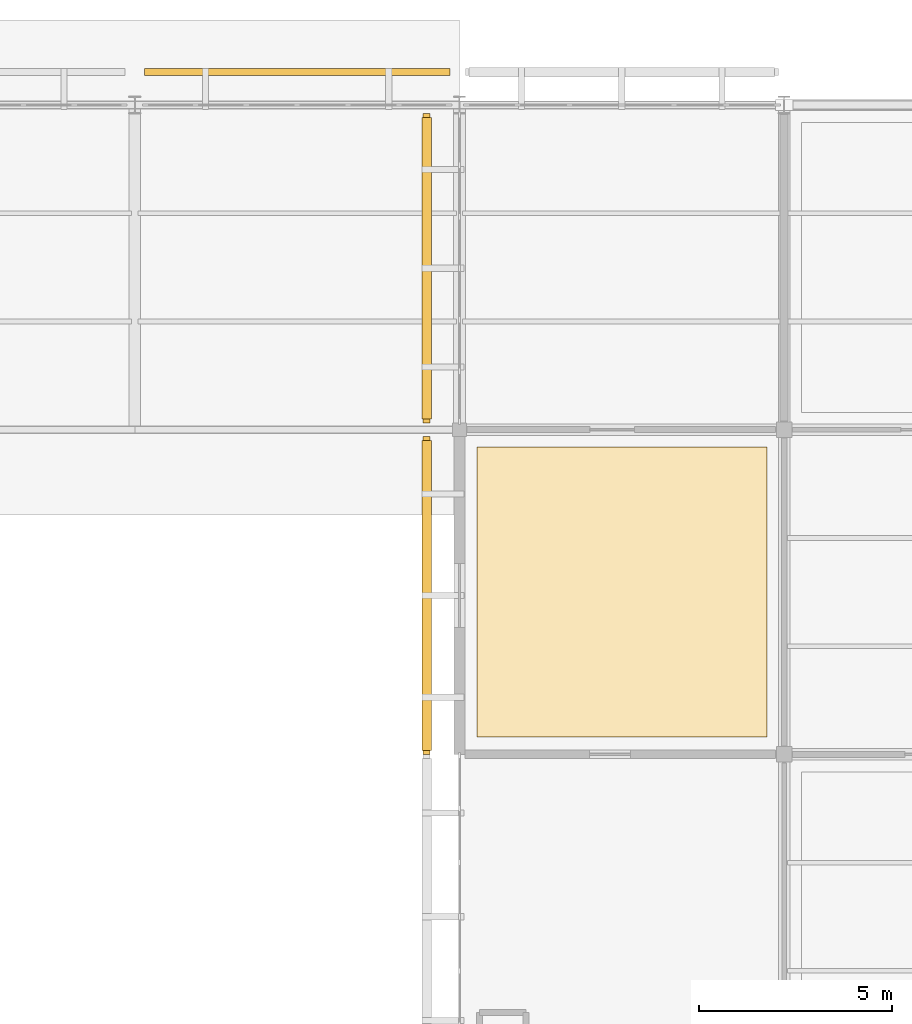
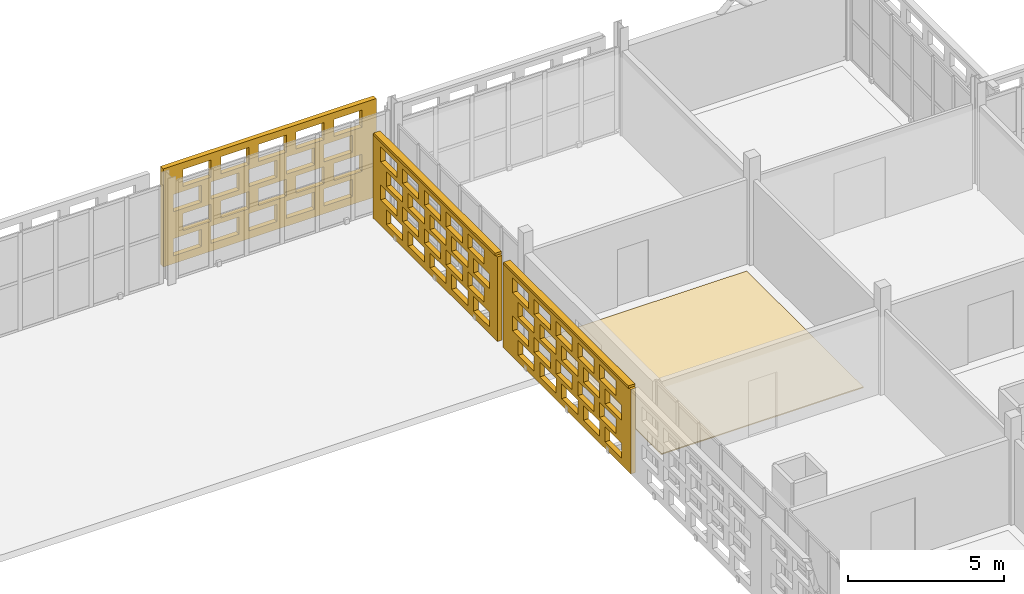
# One storey, part 149 of 166: 4 coverings, 2 shading devices, 60 openings.
"""IFC4 building model written with IfcOpenShell, lengths in metres."""

from ifc_helpers import new_model, si_unit, direction, frame, frame_2d, origin, origin_2d, place, context, subcontext, project, spatial, rectangle, extrude, material, layer, layer_set, type_object, element, save


model = new_model("IFC4")

# Units and contexts
model_context = context("Model", 3, precision=1e-05, world=origin(), true_north=direction((0.0, 1.0)))
body_context = subcontext(model_context, "Body", "Model", "MODEL_VIEW")
ifc_project = project(units=[si_unit("LENGTHUNIT", "METRE"), si_unit("AREAUNIT", "SQUARE_METRE"), si_unit("VOLUMEUNIT", "CUBIC_METRE"), si_unit("PLANEANGLEUNIT", "RADIAN"), si_unit("MASSUNIT", "GRAM", prefix="KILO")], contexts=[model_context])

# Site, building, storey
site_placement = place(None, origin())
site = spatial("IfcSite", under=ifc_project, at=site_placement, CompositionType="ELEMENT")
building_placement = place(site_placement, origin())
building = spatial("IfcBuilding", under=site, at=building_placement, Name="Varnapada Polytechnic", CompositionType="ELEMENT")
storey_placement = place(building_placement, frame((0.0, 0.0, 9.60009765625)))
storey = spatial("IfcBuildingStorey", under=building, at=storey_placement, Name="L02", CompositionType="ELEMENT", Elevation=9.60009765625)

# Covering
ifc_material_1 = material(Name="Acoustic Rubber Seminar Flooring")
ifc_layer_1 = layer(ifc_material_1, 0.0400390625)
ifc_layer_set_1 = layer_set([ifc_layer_1], Name="Acoustic Rubber Seminar Flooring")
covering_type_1 = type_object("IfcCoveringType", Name="Floor Finish FLR-06", PredefinedType="FLOORING", material=ifc_layer_set_1)
covering_1_placement = place(storey_placement, frame((121.800048828125, 113.39990234375, 0.0), z_axis=(0.0, 0.0, 1.0), x_axis=(1.0, 0.0, 0.0)))
element("IfcCovering", 1, at=covering_1_placement, inside=storey, type_object=covering_type_1, Name="L02 floor finish panel (15,14)", PredefinedType="FLOORING", context=body_context, shape_type="SweptSolid", body=[
    extrude(rectangle(XDim=7.5, YDim=7.5, at=origin_2d()), origin(), (0.0, 0.0, 1.0), 0.0400390625),
])

# Covering, openings
ifc_material_2 = material(Name="Earth-toned architectural terracotta screen block", Category="masonry")
ifc_layer_2 = layer(ifc_material_2, 0.1201171875)
ifc_layer_set_2 = layer_set([ifc_layer_2], Name="Earth-toned architectural terracotta screen block")
covering_type_2 = type_object("IfcCoveringType", Name="Terracotta Screen Cladding CLD-01", PredefinedType="CLADDING", material=ifc_layer_set_2)
covering_2_placement = place(storey_placement, frame((116.75, 109.199951171875, 0.0), z_axis=(0.0, 0.0, 1.0), x_axis=(0.0, 1.0, 0.0)))
covering_2 = element("IfcCovering", 2, at=covering_2_placement, inside=storey, type_object=covering_type_2, Name="L02 perforated terracotta block screen (73)", PredefinedType="CLADDING", context=body_context, shape_type="SweptSolid", body=[
    extrude(rectangle(XDim=8.219970703125, YDim=0.179931640625, at=frame_2d((4.10986328125, 0.0))), origin(), (0.0, 0.0, 1.0), 3.31982421875),
])
opening_1_placement = place(covering_2_placement, frame((0.610107421875, 0.0, 0.265625)))
element("IfcOpeningElement", 3, at=opening_1_placement, cuts=covering_2, Name="Screen perforation TBS-L02-072.1", PredefinedType="OPENING", context=body_context, shape_type="SweptSolid", body=[
    extrude(rectangle(XDim=1.0400390625, YDim=0.5810546875, at=frame_2d((0.52001953125, 0.29052734375))), frame((0.0, 0.099853515625, 0.0), z_axis=(0.0, -1.0, 0.0), x_axis=(1.0, 0.0, 0.0)), (0.0, 0.0, 1.0), 0.199951171875),
])
opening_2_placement = place(covering_2_placement, frame((2.010009765625, 0.0, 0.265625)))
element("IfcOpeningElement", 4, at=opening_2_placement, cuts=covering_2, Name="Screen perforation TBS-L02-072.2", PredefinedType="OPENING", context=body_context, shape_type="SweptSolid", body=[
    extrude(rectangle(XDim=1.0400390625, YDim=0.5810546875, at=frame_2d((0.52001953125, 0.29052734375))), frame((0.0, 0.099853515625, 0.0), z_axis=(0.0, -1.0, 0.0), x_axis=(1.0, 0.0, 0.0)), (0.0, 0.0, 1.0), 0.199951171875),
])
opening_3_placement = place(covering_2_placement, frame((3.409912109375, 0.0, 0.265625)))
element("IfcOpeningElement", 5, at=opening_3_placement, cuts=covering_2, Name="Screen perforation TBS-L02-072.3", PredefinedType="OPENING", context=body_context, shape_type="SweptSolid", body=[
    extrude(rectangle(XDim=1.0400390625, YDim=0.5810546875, at=frame_2d((0.52001953125, 0.29052734375))), frame((0.0, 0.099853515625, 0.0), z_axis=(0.0, -1.0, 0.0), x_axis=(1.0, 0.0, 0.0)), (0.0, 0.0, 1.0), 0.199951171875),
])
opening_4_placement = place(covering_2_placement, frame((4.81005859375, 0.0, 0.265625)))
element("IfcOpeningElement", 6, at=opening_4_placement, cuts=covering_2, Name="Screen perforation TBS-L02-072.4", PredefinedType="OPENING", context=body_context, shape_type="SweptSolid", body=[
    extrude(rectangle(XDim=1.0400390625, YDim=0.5810546875, at=frame_2d((0.52001953125, 0.29052734375))), frame((0.0, 0.099853515625, 0.0), z_axis=(0.0, -1.0, 0.0), x_axis=(1.0, 0.0, 0.0)), (0.0, 0.0, 1.0), 0.199951171875),
])
opening_5_placement = place(covering_2_placement, frame((6.2099609375, 0.0, 0.265625)))
element("IfcOpeningElement", 7, at=opening_5_placement, cuts=covering_2, Name="Screen perforation TBS-L02-072.5", PredefinedType="OPENING", context=body_context, shape_type="SweptSolid", body=[
    extrude(rectangle(XDim=1.0400390625, YDim=0.5810546875, at=frame_2d((0.52001953125, 0.29052734375))), frame((0.0, 0.099853515625, 0.0), z_axis=(0.0, -1.0, 0.0), x_axis=(1.0, 0.0, 0.0)), (0.0, 0.0, 1.0), 0.199951171875),
])
opening_6_placement = place(covering_2_placement, frame((0.969970703125, 0.0, 1.0126953125)))
element("IfcOpeningElement", 8, at=opening_6_placement, cuts=covering_2, Name="Screen perforation TBS-L02-072.6", PredefinedType="OPENING", context=body_context, shape_type="SweptSolid", body=[
    extrude(rectangle(XDim=1.0400390625, YDim=0.5810546875, at=frame_2d((0.52001953125, 0.29052734375))), frame((0.0, 0.099853515625, 0.0), z_axis=(0.0, -1.0, 0.0), x_axis=(1.0, 0.0, 0.0)), (0.0, 0.0, 1.0), 0.199951171875),
])
opening_7_placement = place(covering_2_placement, frame((2.3701171875, 0.0, 1.0126953125)))
element("IfcOpeningElement", 9, at=opening_7_placement, cuts=covering_2, Name="Screen perforation TBS-L02-072.7", PredefinedType="OPENING", context=body_context, shape_type="SweptSolid", body=[
    extrude(rectangle(XDim=1.0400390625, YDim=0.5810546875, at=frame_2d((0.52001953125, 0.29052734375))), frame((0.0, 0.099853515625, 0.0), z_axis=(0.0, -1.0, 0.0), x_axis=(1.0, 0.0, 0.0)), (0.0, 0.0, 1.0), 0.199951171875),
])
opening_8_placement = place(covering_2_placement, frame((3.77001953125, 0.0, 1.0126953125)))
element("IfcOpeningElement", 10, at=opening_8_placement, cuts=covering_2, Name="Screen perforation TBS-L02-072.8", PredefinedType="OPENING", context=body_context, shape_type="SweptSolid", body=[
    extrude(rectangle(XDim=1.0400390625, YDim=0.5810546875, at=frame_2d((0.52001953125, 0.29052734375))), frame((0.0, 0.099853515625, 0.0), z_axis=(0.0, -1.0, 0.0), x_axis=(1.0, 0.0, 0.0)), (0.0, 0.0, 1.0), 0.199951171875),
])
opening_9_placement = place(covering_2_placement, frame((5.169921875, 0.0, 1.0126953125)))
element("IfcOpeningElement", 11, at=opening_9_placement, cuts=covering_2, Name="Screen perforation TBS-L02-072.9", PredefinedType="OPENING", context=body_context, shape_type="SweptSolid", body=[
    extrude(rectangle(XDim=1.0400390625, YDim=0.5810546875, at=frame_2d((0.52001953125, 0.29052734375))), frame((0.0, 0.099853515625, 0.0), z_axis=(0.0, -1.0, 0.0), x_axis=(1.0, 0.0, 0.0)), (0.0, 0.0, 1.0), 0.199951171875),
])
opening_10_placement = place(covering_2_placement, frame((6.570068359375, 0.0, 1.0126953125)))
element("IfcOpeningElement", 12, at=opening_10_placement, cuts=covering_2, Name="Screen perforation TBS-L02-072.10", PredefinedType="OPENING", context=body_context, shape_type="SweptSolid", body=[
    extrude(rectangle(XDim=1.0400390625, YDim=0.5810546875, at=frame_2d((0.52001953125, 0.29052734375))), frame((0.0, 0.099853515625, 0.0), z_axis=(0.0, -1.0, 0.0), x_axis=(1.0, 0.0, 0.0)), (0.0, 0.0, 1.0), 0.199951171875),
])
opening_11_placement = place(covering_2_placement, frame((0.610107421875, 0.0, 1.759521484375)))
element("IfcOpeningElement", 13, at=opening_11_placement, cuts=covering_2, Name="Screen perforation TBS-L02-072.11", PredefinedType="OPENING", context=body_context, shape_type="SweptSolid", body=[
    extrude(rectangle(XDim=1.0400390625, YDim=0.5810546875, at=frame_2d((0.52001953125, 0.29052734375))), frame((0.0, 0.099853515625, 0.0), z_axis=(0.0, -1.0, 0.0), x_axis=(1.0, 0.0, 0.0)), (0.0, 0.0, 1.0), 0.199951171875),
])
opening_12_placement = place(covering_2_placement, frame((2.010009765625, 0.0, 1.759521484375)))
element("IfcOpeningElement", 14, at=opening_12_placement, cuts=covering_2, Name="Screen perforation TBS-L02-072.12", PredefinedType="OPENING", context=body_context, shape_type="SweptSolid", body=[
    extrude(rectangle(XDim=1.0400390625, YDim=0.5810546875, at=frame_2d((0.52001953125, 0.29052734375))), frame((0.0, 0.099853515625, 0.0), z_axis=(0.0, -1.0, 0.0), x_axis=(1.0, 0.0, 0.0)), (0.0, 0.0, 1.0), 0.199951171875),
])
opening_13_placement = place(covering_2_placement, frame((3.409912109375, 0.0, 1.759521484375)))
element("IfcOpeningElement", 15, at=opening_13_placement, cuts=covering_2, Name="Screen perforation TBS-L02-072.13", PredefinedType="OPENING", context=body_context, shape_type="SweptSolid", body=[
    extrude(rectangle(XDim=1.0400390625, YDim=0.5810546875, at=frame_2d((0.52001953125, 0.29052734375))), frame((0.0, 0.099853515625, 0.0), z_axis=(0.0, -1.0, 0.0), x_axis=(1.0, 0.0, 0.0)), (0.0, 0.0, 1.0), 0.199951171875),
])
opening_14_placement = place(covering_2_placement, frame((4.81005859375, 0.0, 1.759521484375)))
element("IfcOpeningElement", 16, at=opening_14_placement, cuts=covering_2, Name="Screen perforation TBS-L02-072.14", PredefinedType="OPENING", context=body_context, shape_type="SweptSolid", body=[
    extrude(rectangle(XDim=1.0400390625, YDim=0.5810546875, at=frame_2d((0.52001953125, 0.29052734375))), frame((0.0, 0.099853515625, 0.0), z_axis=(0.0, -1.0, 0.0), x_axis=(1.0, 0.0, 0.0)), (0.0, 0.0, 1.0), 0.199951171875),
])
opening_15_placement = place(covering_2_placement, frame((6.2099609375, 0.0, 1.759521484375)))
element("IfcOpeningElement", 17, at=opening_15_placement, cuts=covering_2, Name="Screen perforation TBS-L02-072.15", PredefinedType="OPENING", context=body_context, shape_type="SweptSolid", body=[
    extrude(rectangle(XDim=1.0400390625, YDim=0.5810546875, at=frame_2d((0.52001953125, 0.29052734375))), frame((0.0, 0.099853515625, 0.0), z_axis=(0.0, -1.0, 0.0), x_axis=(1.0, 0.0, 0.0)), (0.0, 0.0, 1.0), 0.199951171875),
])
opening_16_placement = place(covering_2_placement, frame((0.969970703125, 0.0, 2.506591796875)))
element("IfcOpeningElement", 18, at=opening_16_placement, cuts=covering_2, Name="Screen perforation TBS-L02-072.16", PredefinedType="OPENING", context=body_context, shape_type="SweptSolid", body=[
    extrude(rectangle(XDim=1.0400390625, YDim=0.5810546875, at=frame_2d((0.52001953125, 0.29052734375))), frame((0.0, 0.099853515625, 0.0), z_axis=(0.0, -1.0, 0.0), x_axis=(1.0, 0.0, 0.0)), (0.0, 0.0, 1.0), 0.199951171875),
])
opening_17_placement = place(covering_2_placement, frame((2.3701171875, 0.0, 2.506591796875)))
element("IfcOpeningElement", 19, at=opening_17_placement, cuts=covering_2, Name="Screen perforation TBS-L02-072.17", PredefinedType="OPENING", context=body_context, shape_type="SweptSolid", body=[
    extrude(rectangle(XDim=1.0400390625, YDim=0.5810546875, at=frame_2d((0.52001953125, 0.29052734375))), frame((0.0, 0.099853515625, 0.0), z_axis=(0.0, -1.0, 0.0), x_axis=(1.0, 0.0, 0.0)), (0.0, 0.0, 1.0), 0.199951171875),
])
opening_18_placement = place(covering_2_placement, frame((3.77001953125, 0.0, 2.506591796875)))
element("IfcOpeningElement", 20, at=opening_18_placement, cuts=covering_2, Name="Screen perforation TBS-L02-072.18", PredefinedType="OPENING", context=body_context, shape_type="SweptSolid", body=[
    extrude(rectangle(XDim=1.0400390625, YDim=0.5810546875, at=frame_2d((0.52001953125, 0.29052734375))), frame((0.0, 0.099853515625, 0.0), z_axis=(0.0, -1.0, 0.0), x_axis=(1.0, 0.0, 0.0)), (0.0, 0.0, 1.0), 0.199951171875),
])
opening_19_placement = place(covering_2_placement, frame((5.169921875, 0.0, 2.506591796875)))
element("IfcOpeningElement", 21, at=opening_19_placement, cuts=covering_2, Name="Screen perforation TBS-L02-072.19", PredefinedType="OPENING", context=body_context, shape_type="SweptSolid", body=[
    extrude(rectangle(XDim=1.0400390625, YDim=0.5810546875, at=frame_2d((0.52001953125, 0.29052734375))), frame((0.0, 0.099853515625, 0.0), z_axis=(0.0, -1.0, 0.0), x_axis=(1.0, 0.0, 0.0)), (0.0, 0.0, 1.0), 0.199951171875),
])
opening_20_placement = place(covering_2_placement, frame((6.570068359375, 0.0, 2.506591796875)))
element("IfcOpeningElement", 22, at=opening_20_placement, cuts=covering_2, Name="Screen perforation TBS-L02-072.20", PredefinedType="OPENING", context=body_context, shape_type="SweptSolid", body=[
    extrude(rectangle(XDim=1.0400390625, YDim=0.5810546875, at=frame_2d((0.52001953125, 0.29052734375))), frame((0.0, 0.099853515625, 0.0), z_axis=(0.0, -1.0, 0.0), x_axis=(1.0, 0.0, 0.0)), (0.0, 0.0, 1.0), 0.199951171875),
])

covering_3_placement = place(storey_placement, frame((116.75, 117.780029296875, 0.0), z_axis=(0.0, 0.0, 1.0), x_axis=(0.0, 1.0, 0.0)))
covering_3 = element("IfcCovering", 23, at=covering_3_placement, inside=storey, type_object=covering_type_2, Name="L02 perforated terracotta block screen (75)", PredefinedType="CLADDING", context=body_context, shape_type="SweptSolid", body=[
    extrude(rectangle(XDim=7.994873046875, YDim=0.179931640625, at=frame_2d((3.99755859375, 0.0))), origin(), (0.0, 0.0, 1.0), 3.31982421875),
])
opening_21_placement = place(covering_3_placement, frame((0.49755859375, 0.0, 0.265625)))
element("IfcOpeningElement", 24, at=opening_21_placement, cuts=covering_3, Name="Screen perforation TBS-L02-074.1", PredefinedType="OPENING", context=body_context, shape_type="SweptSolid", body=[
    extrude(rectangle(XDim=1.0400390625, YDim=0.5810546875, at=frame_2d((0.52001953125, 0.29052734375))), frame((0.0, 0.099853515625, 0.0), z_axis=(0.0, -1.0, 0.0), x_axis=(1.0, 0.0, 0.0)), (0.0, 0.0, 1.0), 0.199951171875),
])
opening_22_placement = place(covering_3_placement, frame((1.8974609375, 0.0, 0.265625)))
element("IfcOpeningElement", 25, at=opening_22_placement, cuts=covering_3, Name="Screen perforation TBS-L02-074.2", PredefinedType="OPENING", context=body_context, shape_type="SweptSolid", body=[
    extrude(rectangle(XDim=1.0400390625, YDim=0.5810546875, at=frame_2d((0.52001953125, 0.29052734375))), frame((0.0, 0.099853515625, 0.0), z_axis=(0.0, -1.0, 0.0), x_axis=(1.0, 0.0, 0.0)), (0.0, 0.0, 1.0), 0.199951171875),
])
opening_23_placement = place(covering_3_placement, frame((3.297607421875, 0.0, 0.265625)))
element("IfcOpeningElement", 26, at=opening_23_placement, cuts=covering_3, Name="Screen perforation TBS-L02-074.3", PredefinedType="OPENING", context=body_context, shape_type="SweptSolid", body=[
    extrude(rectangle(XDim=1.0400390625, YDim=0.5810546875, at=frame_2d((0.52001953125, 0.29052734375))), frame((0.0, 0.099853515625, 0.0), z_axis=(0.0, -1.0, 0.0), x_axis=(1.0, 0.0, 0.0)), (0.0, 0.0, 1.0), 0.199951171875),
])
opening_24_placement = place(covering_3_placement, frame((4.697509765625, 0.0, 0.265625)))
element("IfcOpeningElement", 27, at=opening_24_placement, cuts=covering_3, Name="Screen perforation TBS-L02-074.4", PredefinedType="OPENING", context=body_context, shape_type="SweptSolid", body=[
    extrude(rectangle(XDim=1.0400390625, YDim=0.5810546875, at=frame_2d((0.52001953125, 0.29052734375))), frame((0.0, 0.099853515625, 0.0), z_axis=(0.0, -1.0, 0.0), x_axis=(1.0, 0.0, 0.0)), (0.0, 0.0, 1.0), 0.199951171875),
])
opening_25_placement = place(covering_3_placement, frame((6.097412109375, 0.0, 0.265625)))
element("IfcOpeningElement", 28, at=opening_25_placement, cuts=covering_3, Name="Screen perforation TBS-L02-074.5", PredefinedType="OPENING", context=body_context, shape_type="SweptSolid", body=[
    extrude(rectangle(XDim=1.0400390625, YDim=0.5810546875, at=frame_2d((0.52001953125, 0.29052734375))), frame((0.0, 0.099853515625, 0.0), z_axis=(0.0, -1.0, 0.0), x_axis=(1.0, 0.0, 0.0)), (0.0, 0.0, 1.0), 0.199951171875),
])
opening_26_placement = place(covering_3_placement, frame((0.857421875, 0.0, 1.0126953125)))
element("IfcOpeningElement", 29, at=opening_26_placement, cuts=covering_3, Name="Screen perforation TBS-L02-074.6", PredefinedType="OPENING", context=body_context, shape_type="SweptSolid", body=[
    extrude(rectangle(XDim=1.0400390625, YDim=0.5810546875, at=frame_2d((0.52001953125, 0.29052734375))), frame((0.0, 0.099853515625, 0.0), z_axis=(0.0, -1.0, 0.0), x_axis=(1.0, 0.0, 0.0)), (0.0, 0.0, 1.0), 0.199951171875),
])
opening_27_placement = place(covering_3_placement, frame((2.257568359375, 0.0, 1.0126953125)))
element("IfcOpeningElement", 30, at=opening_27_placement, cuts=covering_3, Name="Screen perforation TBS-L02-074.7", PredefinedType="OPENING", context=body_context, shape_type="SweptSolid", body=[
    extrude(rectangle(XDim=1.0400390625, YDim=0.5810546875, at=frame_2d((0.52001953125, 0.29052734375))), frame((0.0, 0.099853515625, 0.0), z_axis=(0.0, -1.0, 0.0), x_axis=(1.0, 0.0, 0.0)), (0.0, 0.0, 1.0), 0.199951171875),
])
opening_28_placement = place(covering_3_placement, frame((3.657470703125, 0.0, 1.0126953125)))
element("IfcOpeningElement", 31, at=opening_28_placement, cuts=covering_3, Name="Screen perforation TBS-L02-074.8", PredefinedType="OPENING", context=body_context, shape_type="SweptSolid", body=[
    extrude(rectangle(XDim=1.0400390625, YDim=0.5810546875, at=frame_2d((0.52001953125, 0.29052734375))), frame((0.0, 0.099853515625, 0.0), z_axis=(0.0, -1.0, 0.0), x_axis=(1.0, 0.0, 0.0)), (0.0, 0.0, 1.0), 0.199951171875),
])
opening_29_placement = place(covering_3_placement, frame((5.0576171875, 0.0, 1.0126953125)))
element("IfcOpeningElement", 32, at=opening_29_placement, cuts=covering_3, Name="Screen perforation TBS-L02-074.9", PredefinedType="OPENING", context=body_context, shape_type="SweptSolid", body=[
    extrude(rectangle(XDim=1.0400390625, YDim=0.5810546875, at=frame_2d((0.52001953125, 0.29052734375))), frame((0.0, 0.099853515625, 0.0), z_axis=(0.0, -1.0, 0.0), x_axis=(1.0, 0.0, 0.0)), (0.0, 0.0, 1.0), 0.199951171875),
])
opening_30_placement = place(covering_3_placement, frame((6.45751953125, 0.0, 1.0126953125)))
element("IfcOpeningElement", 33, at=opening_30_placement, cuts=covering_3, Name="Screen perforation TBS-L02-074.10", PredefinedType="OPENING", context=body_context, shape_type="SweptSolid", body=[
    extrude(rectangle(XDim=1.0400390625, YDim=0.5810546875, at=frame_2d((0.52001953125, 0.29052734375))), frame((0.0, 0.099853515625, 0.0), z_axis=(0.0, -1.0, 0.0), x_axis=(1.0, 0.0, 0.0)), (0.0, 0.0, 1.0), 0.199951171875),
])
opening_31_placement = place(covering_3_placement, frame((0.49755859375, 0.0, 1.759521484375)))
element("IfcOpeningElement", 34, at=opening_31_placement, cuts=covering_3, Name="Screen perforation TBS-L02-074.11", PredefinedType="OPENING", context=body_context, shape_type="SweptSolid", body=[
    extrude(rectangle(XDim=1.0400390625, YDim=0.5810546875, at=frame_2d((0.52001953125, 0.29052734375))), frame((0.0, 0.099853515625, 0.0), z_axis=(0.0, -1.0, 0.0), x_axis=(1.0, 0.0, 0.0)), (0.0, 0.0, 1.0), 0.199951171875),
])
opening_32_placement = place(covering_3_placement, frame((1.8974609375, 0.0, 1.759521484375)))
element("IfcOpeningElement", 35, at=opening_32_placement, cuts=covering_3, Name="Screen perforation TBS-L02-074.12", PredefinedType="OPENING", context=body_context, shape_type="SweptSolid", body=[
    extrude(rectangle(XDim=1.0400390625, YDim=0.5810546875, at=frame_2d((0.52001953125, 0.29052734375))), frame((0.0, 0.099853515625, 0.0), z_axis=(0.0, -1.0, 0.0), x_axis=(1.0, 0.0, 0.0)), (0.0, 0.0, 1.0), 0.199951171875),
])
opening_33_placement = place(covering_3_placement, frame((3.297607421875, 0.0, 1.759521484375)))
element("IfcOpeningElement", 36, at=opening_33_placement, cuts=covering_3, Name="Screen perforation TBS-L02-074.13", PredefinedType="OPENING", context=body_context, shape_type="SweptSolid", body=[
    extrude(rectangle(XDim=1.0400390625, YDim=0.5810546875, at=frame_2d((0.52001953125, 0.29052734375))), frame((0.0, 0.099853515625, 0.0), z_axis=(0.0, -1.0, 0.0), x_axis=(1.0, 0.0, 0.0)), (0.0, 0.0, 1.0), 0.199951171875),
])
opening_34_placement = place(covering_3_placement, frame((4.697509765625, 0.0, 1.759521484375)))
element("IfcOpeningElement", 37, at=opening_34_placement, cuts=covering_3, Name="Screen perforation TBS-L02-074.14", PredefinedType="OPENING", context=body_context, shape_type="SweptSolid", body=[
    extrude(rectangle(XDim=1.0400390625, YDim=0.5810546875, at=frame_2d((0.52001953125, 0.29052734375))), frame((0.0, 0.099853515625, 0.0), z_axis=(0.0, -1.0, 0.0), x_axis=(1.0, 0.0, 0.0)), (0.0, 0.0, 1.0), 0.199951171875),
])
opening_35_placement = place(covering_3_placement, frame((6.097412109375, 0.0, 1.759521484375)))
element("IfcOpeningElement", 38, at=opening_35_placement, cuts=covering_3, Name="Screen perforation TBS-L02-074.15", PredefinedType="OPENING", context=body_context, shape_type="SweptSolid", body=[
    extrude(rectangle(XDim=1.0400390625, YDim=0.5810546875, at=frame_2d((0.52001953125, 0.29052734375))), frame((0.0, 0.099853515625, 0.0), z_axis=(0.0, -1.0, 0.0), x_axis=(1.0, 0.0, 0.0)), (0.0, 0.0, 1.0), 0.199951171875),
])
opening_36_placement = place(covering_3_placement, frame((0.857421875, 0.0, 2.506591796875)))
element("IfcOpeningElement", 39, at=opening_36_placement, cuts=covering_3, Name="Screen perforation TBS-L02-074.16", PredefinedType="OPENING", context=body_context, shape_type="SweptSolid", body=[
    extrude(rectangle(XDim=1.0400390625, YDim=0.5810546875, at=frame_2d((0.52001953125, 0.29052734375))), frame((0.0, 0.099853515625, 0.0), z_axis=(0.0, -1.0, 0.0), x_axis=(1.0, 0.0, 0.0)), (0.0, 0.0, 1.0), 0.199951171875),
])
opening_37_placement = place(covering_3_placement, frame((2.257568359375, 0.0, 2.506591796875)))
element("IfcOpeningElement", 40, at=opening_37_placement, cuts=covering_3, Name="Screen perforation TBS-L02-074.17", PredefinedType="OPENING", context=body_context, shape_type="SweptSolid", body=[
    extrude(rectangle(XDim=1.0400390625, YDim=0.5810546875, at=frame_2d((0.52001953125, 0.29052734375))), frame((0.0, 0.099853515625, 0.0), z_axis=(0.0, -1.0, 0.0), x_axis=(1.0, 0.0, 0.0)), (0.0, 0.0, 1.0), 0.199951171875),
])
opening_38_placement = place(covering_3_placement, frame((3.657470703125, 0.0, 2.506591796875)))
element("IfcOpeningElement", 41, at=opening_38_placement, cuts=covering_3, Name="Screen perforation TBS-L02-074.18", PredefinedType="OPENING", context=body_context, shape_type="SweptSolid", body=[
    extrude(rectangle(XDim=1.0400390625, YDim=0.5810546875, at=frame_2d((0.52001953125, 0.29052734375))), frame((0.0, 0.099853515625, 0.0), z_axis=(0.0, -1.0, 0.0), x_axis=(1.0, 0.0, 0.0)), (0.0, 0.0, 1.0), 0.199951171875),
])
opening_39_placement = place(covering_3_placement, frame((5.0576171875, 0.0, 2.506591796875)))
element("IfcOpeningElement", 42, at=opening_39_placement, cuts=covering_3, Name="Screen perforation TBS-L02-074.19", PredefinedType="OPENING", context=body_context, shape_type="SweptSolid", body=[
    extrude(rectangle(XDim=1.0400390625, YDim=0.5810546875, at=frame_2d((0.52001953125, 0.29052734375))), frame((0.0, 0.099853515625, 0.0), z_axis=(0.0, -1.0, 0.0), x_axis=(1.0, 0.0, 0.0)), (0.0, 0.0, 1.0), 0.199951171875),
])
opening_40_placement = place(covering_3_placement, frame((6.45751953125, 0.0, 2.506591796875)))
element("IfcOpeningElement", 43, at=opening_40_placement, cuts=covering_3, Name="Screen perforation TBS-L02-074.20", PredefinedType="OPENING", context=body_context, shape_type="SweptSolid", body=[
    extrude(rectangle(XDim=1.0400390625, YDim=0.5810546875, at=frame_2d((0.52001953125, 0.29052734375))), frame((0.0, 0.099853515625, 0.0), z_axis=(0.0, -1.0, 0.0), x_axis=(1.0, 0.0, 0.0)), (0.0, 0.0, 1.0), 0.199951171875),
])

covering_4_placement = place(storey_placement, frame((109.449951171875, 126.85009765625, 0.0), z_axis=(0.0, 0.0, 1.0), x_axis=(1.0, 0.0, 0.0)))
covering_4 = element("IfcCovering", 44, at=covering_4_placement, inside=storey, type_object=covering_type_2, Name="L02 high-bay workshop north terracotta screen 14", PredefinedType="CLADDING", context=body_context, shape_type="SweptSolid", body=[
    extrude(rectangle(XDim=7.900146484375, YDim=0.179931640625, at=frame_2d((3.9501953125, 0.0))), origin(), (0.0, 0.0, 1.0), 3.849853515625),
])
opening_41_placement = place(covering_4_placement, frame((0.3701171875, 0.0, 0.30810546875)))
element("IfcOpeningElement", 45, at=opening_41_placement, cuts=covering_4, Name="Screen perforation TBS-WK-L02-13.1", PredefinedType="OPENING", context=body_context, shape_type="SweptSolid", body=[
    extrude(rectangle(XDim=1.0400390625, YDim=0.673583984375, at=frame_2d((0.52001953125, 0.3369140625))), frame((0.0, 0.099853515625, 0.0), z_axis=(0.0, -1.0, 0.0), x_axis=(1.0, 0.0, 0.0)), (0.0, 0.0, 1.0), 0.199951171875),
])
opening_42_placement = place(covering_4_placement, frame((1.77001953125, 0.0, 0.30810546875)))
element("IfcOpeningElement", 46, at=opening_42_placement, cuts=covering_4, Name="Screen perforation TBS-WK-L02-13.2", PredefinedType="OPENING", context=body_context, shape_type="SweptSolid", body=[
    extrude(rectangle(XDim=1.0400390625, YDim=0.673583984375, at=frame_2d((0.52001953125, 0.3369140625))), frame((0.0, 0.099853515625, 0.0), z_axis=(0.0, -1.0, 0.0), x_axis=(1.0, 0.0, 0.0)), (0.0, 0.0, 1.0), 0.199951171875),
])
opening_43_placement = place(covering_4_placement, frame((3.169921875, 0.0, 0.30810546875)))
element("IfcOpeningElement", 47, at=opening_43_placement, cuts=covering_4, Name="Screen perforation TBS-WK-L02-13.3", PredefinedType="OPENING", context=body_context, shape_type="SweptSolid", body=[
    extrude(rectangle(XDim=1.0400390625, YDim=0.673583984375, at=frame_2d((0.52001953125, 0.3369140625))), frame((0.0, 0.099853515625, 0.0), z_axis=(0.0, -1.0, 0.0), x_axis=(1.0, 0.0, 0.0)), (0.0, 0.0, 1.0), 0.199951171875),
])
opening_44_placement = place(covering_4_placement, frame((4.570068359375, 0.0, 0.30810546875)))
element("IfcOpeningElement", 48, at=opening_44_placement, cuts=covering_4, Name="Screen perforation TBS-WK-L02-13.4", PredefinedType="OPENING", context=body_context, shape_type="SweptSolid", body=[
    extrude(rectangle(XDim=1.0400390625, YDim=0.673583984375, at=frame_2d((0.52001953125, 0.3369140625))), frame((0.0, 0.099853515625, 0.0), z_axis=(0.0, -1.0, 0.0), x_axis=(1.0, 0.0, 0.0)), (0.0, 0.0, 1.0), 0.199951171875),
])
opening_45_placement = place(covering_4_placement, frame((5.969970703125, 0.0, 0.30810546875)))
element("IfcOpeningElement", 49, at=opening_45_placement, cuts=covering_4, Name="Screen perforation TBS-WK-L02-13.5", PredefinedType="OPENING", context=body_context, shape_type="SweptSolid", body=[
    extrude(rectangle(XDim=1.0400390625, YDim=0.673583984375, at=frame_2d((0.52001953125, 0.3369140625))), frame((0.0, 0.099853515625, 0.0), z_axis=(0.0, -1.0, 0.0), x_axis=(1.0, 0.0, 0.0)), (0.0, 0.0, 1.0), 0.199951171875),
])
opening_46_placement = place(covering_4_placement, frame((0.72998046875, 0.0, 1.17431640625)))
element("IfcOpeningElement", 50, at=opening_46_placement, cuts=covering_4, Name="Screen perforation TBS-WK-L02-13.6", PredefinedType="OPENING", context=body_context, shape_type="SweptSolid", body=[
    extrude(rectangle(XDim=1.0400390625, YDim=0.673583984375, at=frame_2d((0.52001953125, 0.3369140625))), frame((0.0, 0.099853515625, 0.0), z_axis=(0.0, -1.0, 0.0), x_axis=(1.0, 0.0, 0.0)), (0.0, 0.0, 1.0), 0.199951171875),
])
opening_47_placement = place(covering_4_placement, frame((2.1298828125, 0.0, 1.17431640625)))
element("IfcOpeningElement", 51, at=opening_47_placement, cuts=covering_4, Name="Screen perforation TBS-WK-L02-13.7", PredefinedType="OPENING", context=body_context, shape_type="SweptSolid", body=[
    extrude(rectangle(XDim=1.0400390625, YDim=0.673583984375, at=frame_2d((0.52001953125, 0.3369140625))), frame((0.0, 0.099853515625, 0.0), z_axis=(0.0, -1.0, 0.0), x_axis=(1.0, 0.0, 0.0)), (0.0, 0.0, 1.0), 0.199951171875),
])
opening_48_placement = place(covering_4_placement, frame((3.530029296875, 0.0, 1.17431640625)))
element("IfcOpeningElement", 52, at=opening_48_placement, cuts=covering_4, Name="Screen perforation TBS-WK-L02-13.8", PredefinedType="OPENING", context=body_context, shape_type="SweptSolid", body=[
    extrude(rectangle(XDim=1.0400390625, YDim=0.673583984375, at=frame_2d((0.52001953125, 0.3369140625))), frame((0.0, 0.099853515625, 0.0), z_axis=(0.0, -1.0, 0.0), x_axis=(1.0, 0.0, 0.0)), (0.0, 0.0, 1.0), 0.199951171875),
])
opening_49_placement = place(covering_4_placement, frame((4.929931640625, 0.0, 1.17431640625)))
element("IfcOpeningElement", 53, at=opening_49_placement, cuts=covering_4, Name="Screen perforation TBS-WK-L02-13.9", PredefinedType="OPENING", context=body_context, shape_type="SweptSolid", body=[
    extrude(rectangle(XDim=1.0400390625, YDim=0.673583984375, at=frame_2d((0.52001953125, 0.3369140625))), frame((0.0, 0.099853515625, 0.0), z_axis=(0.0, -1.0, 0.0), x_axis=(1.0, 0.0, 0.0)), (0.0, 0.0, 1.0), 0.199951171875),
])
opening_50_placement = place(covering_4_placement, frame((6.330078125, 0.0, 1.17431640625)))
element("IfcOpeningElement", 54, at=opening_50_placement, cuts=covering_4, Name="Screen perforation TBS-WK-L02-13.10", PredefinedType="OPENING", context=body_context, shape_type="SweptSolid", body=[
    extrude(rectangle(XDim=1.0400390625, YDim=0.673583984375, at=frame_2d((0.52001953125, 0.3369140625))), frame((0.0, 0.099853515625, 0.0), z_axis=(0.0, -1.0, 0.0), x_axis=(1.0, 0.0, 0.0)), (0.0, 0.0, 1.0), 0.199951171875),
])
opening_51_placement = place(covering_4_placement, frame((0.3701171875, 0.0, 2.04052734375)))
element("IfcOpeningElement", 55, at=opening_51_placement, cuts=covering_4, Name="Screen perforation TBS-WK-L02-13.11", PredefinedType="OPENING", context=body_context, shape_type="SweptSolid", body=[
    extrude(rectangle(XDim=1.0400390625, YDim=0.673583984375, at=frame_2d((0.52001953125, 0.3369140625))), frame((0.0, 0.099853515625, 0.0), z_axis=(0.0, -1.0, 0.0), x_axis=(1.0, 0.0, 0.0)), (0.0, 0.0, 1.0), 0.199951171875),
])
opening_52_placement = place(covering_4_placement, frame((1.77001953125, 0.0, 2.04052734375)))
element("IfcOpeningElement", 56, at=opening_52_placement, cuts=covering_4, Name="Screen perforation TBS-WK-L02-13.12", PredefinedType="OPENING", context=body_context, shape_type="SweptSolid", body=[
    extrude(rectangle(XDim=1.0400390625, YDim=0.673583984375, at=frame_2d((0.52001953125, 0.3369140625))), frame((0.0, 0.099853515625, 0.0), z_axis=(0.0, -1.0, 0.0), x_axis=(1.0, 0.0, 0.0)), (0.0, 0.0, 1.0), 0.199951171875),
])
opening_53_placement = place(covering_4_placement, frame((3.169921875, 0.0, 2.04052734375)))
element("IfcOpeningElement", 57, at=opening_53_placement, cuts=covering_4, Name="Screen perforation TBS-WK-L02-13.13", PredefinedType="OPENING", context=body_context, shape_type="SweptSolid", body=[
    extrude(rectangle(XDim=1.0400390625, YDim=0.673583984375, at=frame_2d((0.52001953125, 0.3369140625))), frame((0.0, 0.099853515625, 0.0), z_axis=(0.0, -1.0, 0.0), x_axis=(1.0, 0.0, 0.0)), (0.0, 0.0, 1.0), 0.199951171875),
])
opening_54_placement = place(covering_4_placement, frame((4.570068359375, 0.0, 2.04052734375)))
element("IfcOpeningElement", 58, at=opening_54_placement, cuts=covering_4, Name="Screen perforation TBS-WK-L02-13.14", PredefinedType="OPENING", context=body_context, shape_type="SweptSolid", body=[
    extrude(rectangle(XDim=1.0400390625, YDim=0.673583984375, at=frame_2d((0.52001953125, 0.3369140625))), frame((0.0, 0.099853515625, 0.0), z_axis=(0.0, -1.0, 0.0), x_axis=(1.0, 0.0, 0.0)), (0.0, 0.0, 1.0), 0.199951171875),
])
opening_55_placement = place(covering_4_placement, frame((5.969970703125, 0.0, 2.04052734375)))
element("IfcOpeningElement", 59, at=opening_55_placement, cuts=covering_4, Name="Screen perforation TBS-WK-L02-13.15", PredefinedType="OPENING", context=body_context, shape_type="SweptSolid", body=[
    extrude(rectangle(XDim=1.0400390625, YDim=0.673583984375, at=frame_2d((0.52001953125, 0.3369140625))), frame((0.0, 0.099853515625, 0.0), z_axis=(0.0, -1.0, 0.0), x_axis=(1.0, 0.0, 0.0)), (0.0, 0.0, 1.0), 0.199951171875),
])
opening_56_placement = place(covering_4_placement, frame((0.72998046875, 0.0, 2.90673828125)))
element("IfcOpeningElement", 60, at=opening_56_placement, cuts=covering_4, Name="Screen perforation TBS-WK-L02-13.16", PredefinedType="OPENING", context=body_context, shape_type="SweptSolid", body=[
    extrude(rectangle(XDim=1.0400390625, YDim=0.673583984375, at=frame_2d((0.52001953125, 0.3369140625))), frame((0.0, 0.099853515625, 0.0), z_axis=(0.0, -1.0, 0.0), x_axis=(1.0, 0.0, 0.0)), (0.0, 0.0, 1.0), 0.199951171875),
])
opening_57_placement = place(covering_4_placement, frame((2.1298828125, 0.0, 2.90673828125)))
element("IfcOpeningElement", 61, at=opening_57_placement, cuts=covering_4, Name="Screen perforation TBS-WK-L02-13.17", PredefinedType="OPENING", context=body_context, shape_type="SweptSolid", body=[
    extrude(rectangle(XDim=1.0400390625, YDim=0.673583984375, at=frame_2d((0.52001953125, 0.3369140625))), frame((0.0, 0.099853515625, 0.0), z_axis=(0.0, -1.0, 0.0), x_axis=(1.0, 0.0, 0.0)), (0.0, 0.0, 1.0), 0.199951171875),
])
opening_58_placement = place(covering_4_placement, frame((3.530029296875, 0.0, 2.90673828125)))
element("IfcOpeningElement", 62, at=opening_58_placement, cuts=covering_4, Name="Screen perforation TBS-WK-L02-13.18", PredefinedType="OPENING", context=body_context, shape_type="SweptSolid", body=[
    extrude(rectangle(XDim=1.0400390625, YDim=0.673583984375, at=frame_2d((0.52001953125, 0.3369140625))), frame((0.0, 0.099853515625, 0.0), z_axis=(0.0, -1.0, 0.0), x_axis=(1.0, 0.0, 0.0)), (0.0, 0.0, 1.0), 0.199951171875),
])
opening_59_placement = place(covering_4_placement, frame((4.929931640625, 0.0, 2.90673828125)))
element("IfcOpeningElement", 63, at=opening_59_placement, cuts=covering_4, Name="Screen perforation TBS-WK-L02-13.19", PredefinedType="OPENING", context=body_context, shape_type="SweptSolid", body=[
    extrude(rectangle(XDim=1.0400390625, YDim=0.673583984375, at=frame_2d((0.52001953125, 0.3369140625))), frame((0.0, 0.099853515625, 0.0), z_axis=(0.0, -1.0, 0.0), x_axis=(1.0, 0.0, 0.0)), (0.0, 0.0, 1.0), 0.199951171875),
])
opening_60_placement = place(covering_4_placement, frame((6.330078125, 0.0, 2.90673828125)))
element("IfcOpeningElement", 64, at=opening_60_placement, cuts=covering_4, Name="Screen perforation TBS-WK-L02-13.20", PredefinedType="OPENING", context=body_context, shape_type="SweptSolid", body=[
    extrude(rectangle(XDim=1.0400390625, YDim=0.673583984375, at=frame_2d((0.52001953125, 0.3369140625))), frame((0.0, 0.099853515625, 0.0), z_axis=(0.0, -1.0, 0.0), x_axis=(1.0, 0.0, 0.0)), (0.0, 0.0, 1.0), 0.199951171875),
])

# Shading devices
ifc_layer_3 = layer(ifc_material_2, 0.179931640625)
ifc_layer_set_3 = layer_set([ifc_layer_3], Name="Earth-toned architectural terracotta screen block")
shading_device_type = type_object("IfcShadingDeviceType", Name="Terracotta Screen SCR-01", PredefinedType="USERDEFINED", material=ifc_layer_set_3)
shading_device_1_placement = place(storey_placement, frame((116.75, 113.31005859375, 3.309814453125), z_axis=(0.0, 0.0, 1.0), x_axis=(0.0, 1.0, 0.0)))
element("IfcShadingDevice", 65, at=shading_device_1_placement, inside=storey, type_object=shading_device_type, Name="L02 perforated terracotta screen hood 298", ObjectType="SCREEN", PredefinedType="USERDEFINED", context=body_context, shape_type="SweptSolid", body=[
    extrude(rectangle(XDim=8.02001953125, YDim=0.239990234375, at=origin_2d()), origin(), (0.0, 0.0, 1.0), 0.10009765625),
])
shading_device_2_placement = place(storey_placement, frame((116.75, 121.777587890625, 3.309814453125), z_axis=(0.0, 0.0, 1.0), x_axis=(0.0, 1.0, 0.0)))
element("IfcShadingDevice", 66, at=shading_device_2_placement, inside=storey, type_object=shading_device_type, Name="L02 perforated terracotta screen hood 300", ObjectType="SCREEN", PredefinedType="USERDEFINED", context=body_context, shape_type="SweptSolid", body=[
    extrude(rectangle(XDim=7.794921875, YDim=0.239990234375, at=origin_2d()), origin(), (0.0, 0.0, 1.0), 0.10009765625),
])

save(model, "model.ifc")
